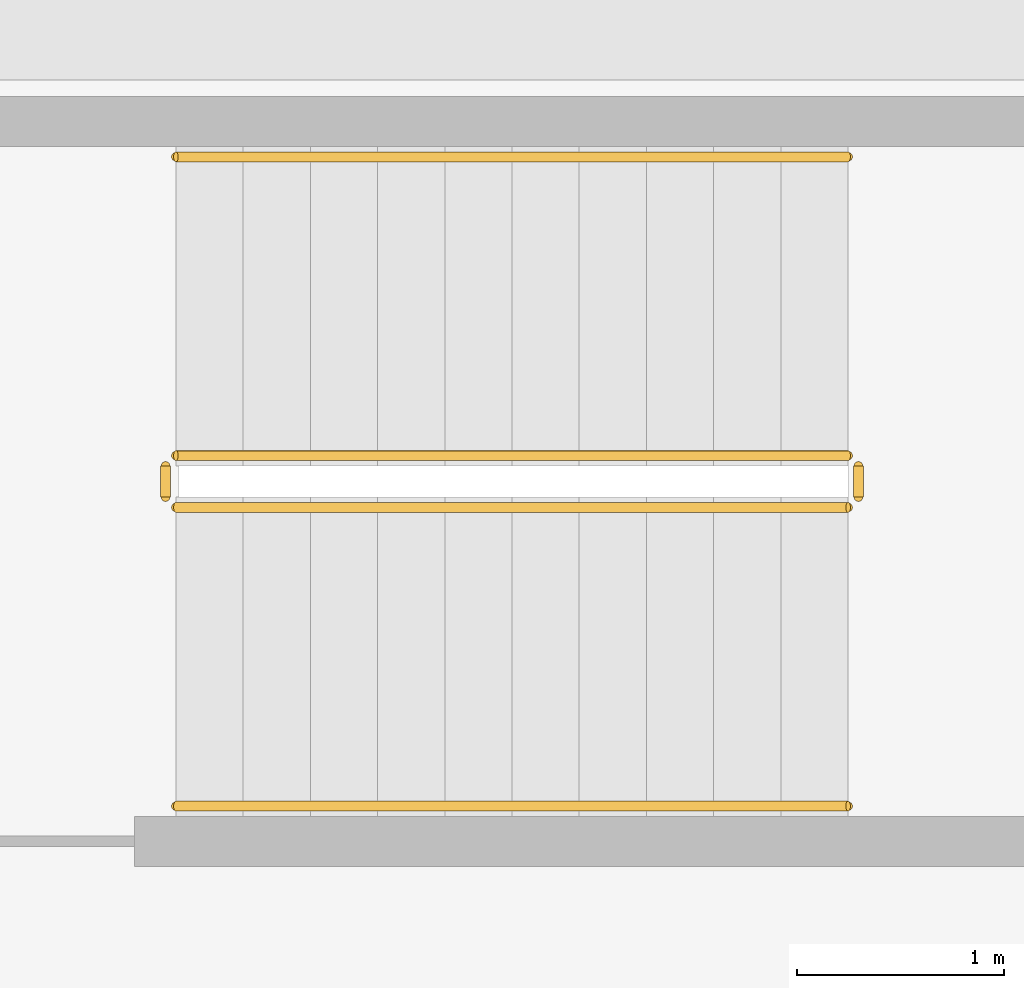
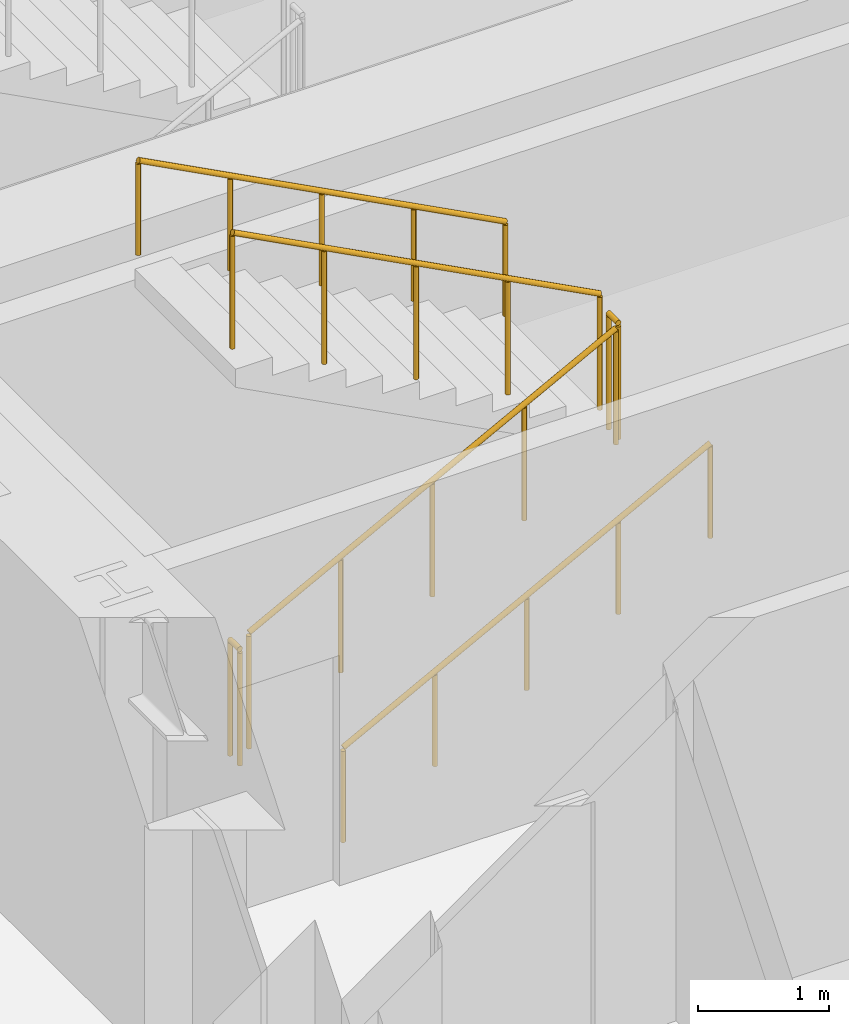
# One storey, part 12 of 15: 6 railings.
"""IFC4 building model written with IfcOpenShell, lengths in metres."""

from ifc_helpers import new_model, si_unit, direction, frame, origin, origin_2d, place, context, subcontext, project, spatial, circle, extrude, material, type_object, element, save


model = new_model("IFC4")

# Units and contexts
model_context = context("Model", 3, precision=1e-05, world=origin(), true_north=direction((0.0, 1.0)))
body_context = subcontext(model_context, "Body", "Model", "MODEL_VIEW")
ifc_project = project(units=[si_unit("LENGTHUNIT", "METRE"), si_unit("AREAUNIT", "SQUARE_METRE"), si_unit("VOLUMEUNIT", "CUBIC_METRE"), si_unit("PLANEANGLEUNIT", "RADIAN"), si_unit("MASSUNIT", "GRAM", prefix="KILO")], contexts=[model_context])

# Site, building, storey
site_placement = place(None, origin())
site = spatial("IfcSite", under=ifc_project, at=site_placement, CompositionType="ELEMENT")
building_placement = place(site_placement, origin())
building = spatial("IfcBuilding", under=site, at=building_placement, Name="Kolvaren Arena Tower", CompositionType="ELEMENT")
storey_placement = place(building_placement, frame((0.0, 0.0, 49.5)))
storey = spatial("IfcBuildingStorey", under=building, at=storey_placement, Name="L09", CompositionType="ELEMENT", Elevation=49.5)

# Railings
ifc_material_1 = material(Name="Painted galvanized steel", Category="steel")
railing_type_1 = type_object("IfcRailingType", Name="GUARD-ST-110", PredefinedType="GUARDRAIL", material=ifc_material_1)
railing_1_placement = place(storey_placement, frame((52.719970703125, 31.639892578125, 0.17041015625)))
element("IfcRailing", 1, at=railing_1_placement, inside=storey, type_object=railing_type_1, Name="L09 ST-E1 stair guard 1", PredefinedType="GUARDRAIL", context=body_context, shape_type="SweptSolid", body=[
    extrude(circle(Radius=0.02392578125, at=origin_2d()), frame((0.0, 0.0, 1.076171875), z_axis=(0.884993431791, 0.0, 0.465603506952), x_axis=(0.0, 1.0, 0.0)), (0.0, 0.0, 1.0), 3.6611328125),
    extrude(circle(Radius=0.02099609375, at=origin_2d()), origin(), (0.0, 0.0, 1.0), 1.052001953125),
    extrude(circle(Radius=0.02099609375, at=origin_2d()), frame((0.81005859375, 0.0, 0.42626953125)), (0.0, 0.0, 1.0), 1.052001953125),
    extrude(circle(Radius=0.02099609375, at=origin_2d()), frame((1.6201171875, 0.0, 0.852294921875)), (0.0, 0.0, 1.0), 1.052001953125),
    extrude(circle(Radius=0.02099609375, at=origin_2d()), frame((2.429931640625, 0.0, 1.2783203125)), (0.0, 0.0, 1.0), 1.052001953125),
    extrude(circle(Radius=0.02099609375, at=origin_2d()), frame((3.239990234375, 0.0, 1.70458984375)), (0.0, 0.0, 1.0), 1.052001953125),
])
railing_2_placement = place(storey_placement, frame((56.010009765625, 31.68994140625, 1.875)))
element("IfcRailing", 2, at=railing_2_placement, inside=storey, type_object=railing_type_1, Name="L09 ST-E1 stair guard 2", PredefinedType="GUARDRAIL", context=body_context, shape_type="SweptSolid", body=[
    extrude(circle(Radius=0.02392578125, at=origin_2d()), frame((0.0, 0.0, 1.076171875), z_axis=(0.0, 1.0, 0.0), x_axis=(-1.0, 0.0, 0.0)), (0.0, 0.0, 1.0), 0.150146484375),
    extrude(circle(Radius=0.02099609375, at=origin_2d()), origin(), (0.0, 0.0, 1.0), 1.052001953125),
    extrude(circle(Radius=0.02099609375, at=origin_2d()), frame((0.0, 0.150146484375, 0.0)), (0.0, 0.0, 1.0), 1.052001953125),
])
railing_3_placement = place(storey_placement, frame((55.9599609375, 31.889892578125, 2.04541015625)))
element("IfcRailing", 3, at=railing_3_placement, inside=storey, type_object=railing_type_1, Name="L09 ST-E1 stair guard 3", PredefinedType="GUARDRAIL", context=body_context, shape_type="SweptSolid", body=[
    extrude(circle(Radius=0.02392578125, at=origin_2d()), frame((0.0, 0.0, 1.076171875), z_axis=(-0.884993431791, 0.0, 0.465603506952), x_axis=(0.0, -1.0, 0.0)), (0.0, 0.0, 1.0), 3.6611328125),
    extrude(circle(Radius=0.02099609375, at=origin_2d()), origin(), (0.0, 0.0, 1.0), 1.052001953125),
    extrude(circle(Radius=0.02099609375, at=origin_2d()), frame((-0.81005859375, 0.0, 0.42626953125)), (0.0, 0.0, 1.0), 1.052001953125),
    extrude(circle(Radius=0.02099609375, at=origin_2d()), frame((-1.6201171875, 0.0, 0.852294921875)), (0.0, 0.0, 1.0), 1.052001953125),
    extrude(circle(Radius=0.02099609375, at=origin_2d()), frame((-2.429931640625, 0.0, 1.2783203125)), (0.0, 0.0, 1.0), 1.052001953125),
    extrude(circle(Radius=0.02099609375, at=origin_2d()), frame((-3.239990234375, 0.0, 1.70458984375)), (0.0, 0.0, 1.0), 1.052001953125),
])
railing_4_placement = place(storey_placement, frame((52.669921875, 31.68994140625, 0.0)))
element("IfcRailing", 4, at=railing_4_placement, inside=storey, type_object=railing_type_1, Name="L09 ST-E1 stair guard 4", PredefinedType="GUARDRAIL", context=body_context, shape_type="SweptSolid", body=[
    extrude(circle(Radius=0.02392578125, at=origin_2d()), frame((0.0, 0.0, 1.076171875), z_axis=(0.0, 1.0, 0.0), x_axis=(-1.0, 0.0, 0.0)), (0.0, 0.0, 1.0), 0.150146484375),
    extrude(circle(Radius=0.02099609375, at=origin_2d()), origin(), (0.0, 0.0, 1.0), 1.052001953125),
    extrude(circle(Radius=0.02099609375, at=origin_2d()), frame((0.0, 0.150146484375, 0.0)), (0.0, 0.0, 1.0), 1.052001953125),
])
ifc_material_2 = material(Name="Brushed stainless steel handrail", Category="steel")
railing_type_2 = type_object("IfcRailingType", Name="HRAIL-900", PredefinedType="HANDRAIL", material=ifc_material_2)
railing_5_placement = place(storey_placement, frame((52.719970703125, 30.199951171875, 0.17041015625)))
element("IfcRailing", 5, at=railing_5_placement, inside=storey, type_object=railing_type_2, Name="L09 ST-E1 stair handrail 1", PredefinedType="HANDRAIL", context=body_context, shape_type="SweptSolid", body=[
    extrude(circle(Radius=0.02392578125, at=origin_2d()), frame((0.0, 0.0, 0.8759765625), z_axis=(0.884993431791, 0.0, 0.465603506952), x_axis=(0.0, 1.0, 0.0)), (0.0, 0.0, 1.0), 3.6611328125),
    extrude(circle(Radius=0.02099609375, at=origin_2d()), origin(), (0.0, 0.0, 1.0), 0.851806640625),
    extrude(circle(Radius=0.02099609375, at=origin_2d()), frame((0.81005859375, 0.0, 0.42626953125)), (0.0, 0.0, 1.0), 0.851806640625),
    extrude(circle(Radius=0.02099609375, at=origin_2d()), frame((1.6201171875, 0.0, 0.852294921875)), (0.0, 0.0, 1.0), 0.851806640625),
    extrude(circle(Radius=0.02099609375, at=origin_2d()), frame((2.429931640625, 0.0, 1.2783203125)), (0.0, 0.0, 1.0), 0.851806640625),
    extrude(circle(Radius=0.02099609375, at=origin_2d()), frame((3.239990234375, 0.0, 1.70458984375)), (0.0, 0.0, 1.0), 0.851806640625),
])
railing_6_placement = place(storey_placement, frame((55.9599609375, 33.330078125, 2.04541015625)))
element("IfcRailing", 6, at=railing_6_placement, inside=storey, type_object=railing_type_2, Name="L09 ST-E1 stair handrail 2", PredefinedType="HANDRAIL", context=body_context, shape_type="SweptSolid", body=[
    extrude(circle(Radius=0.02392578125, at=origin_2d()), frame((0.0, 0.0, 0.8759765625), z_axis=(-0.884993431791, 0.0, 0.465603506952), x_axis=(0.0, -1.0, 0.0)), (0.0, 0.0, 1.0), 3.6611328125),
    extrude(circle(Radius=0.02099609375, at=origin_2d()), origin(), (0.0, 0.0, 1.0), 0.851806640625),
    extrude(circle(Radius=0.02099609375, at=origin_2d()), frame((-0.81005859375, 0.0, 0.42626953125)), (0.0, 0.0, 1.0), 0.851806640625),
    extrude(circle(Radius=0.02099609375, at=origin_2d()), frame((-1.6201171875, 0.0, 0.852294921875)), (0.0, 0.0, 1.0), 0.851806640625),
    extrude(circle(Radius=0.02099609375, at=origin_2d()), frame((-2.429931640625, 0.0, 1.2783203125)), (0.0, 0.0, 1.0), 0.851806640625),
    extrude(circle(Radius=0.02099609375, at=origin_2d()), frame((-3.239990234375, 0.0, 1.70458984375)), (0.0, 0.0, 1.0), 0.851806640625),
])

save(model, "model.ifc")
